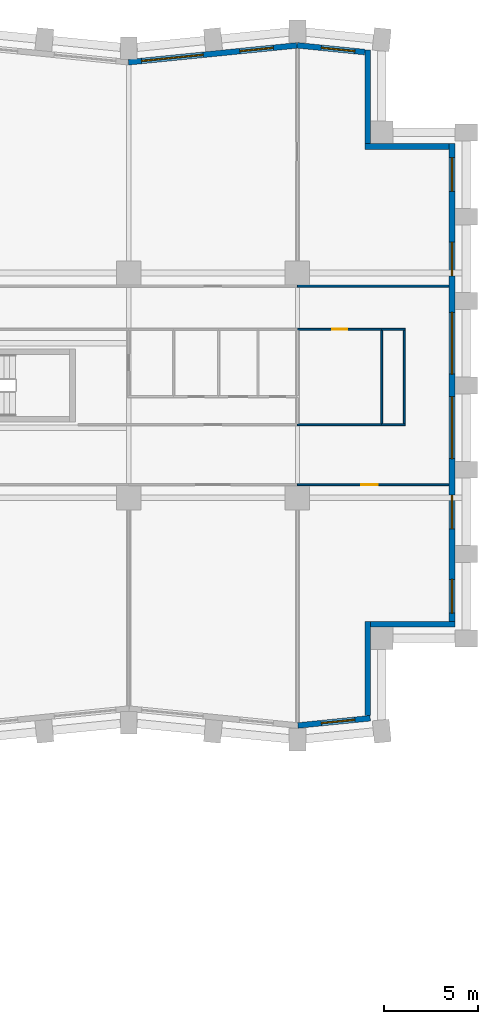
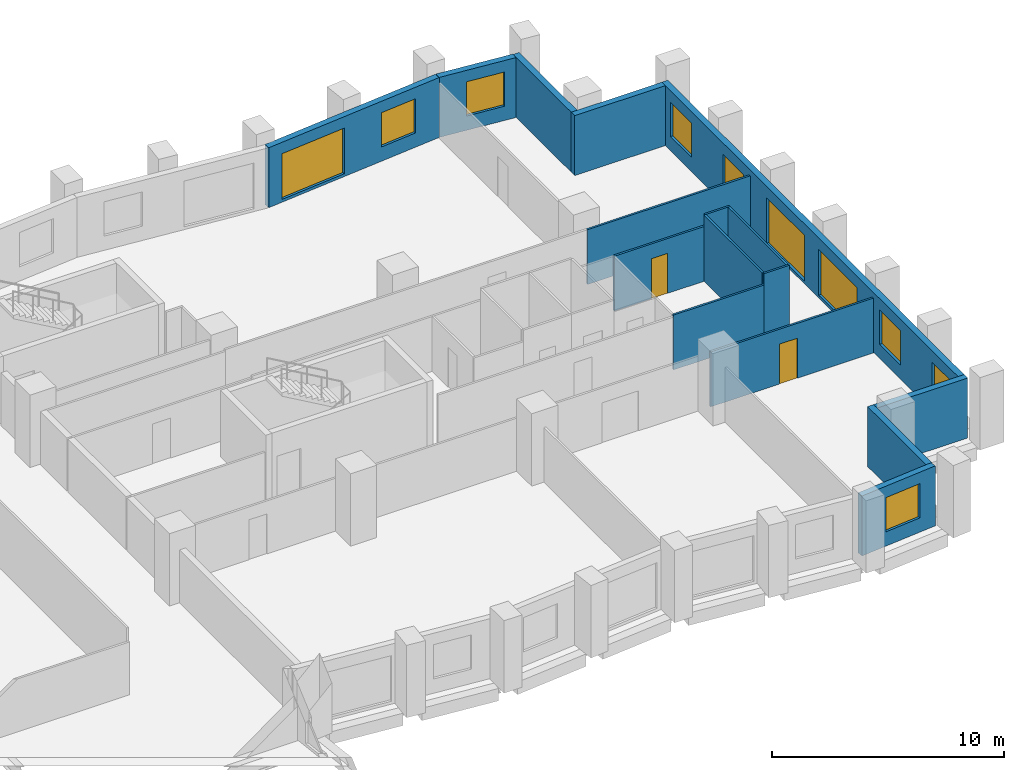
# One storey, part 8 of 11: 16 walls, 10 windows, 2 doors, 12 openings.
"""IFC4 building model written with IfcOpenShell, lengths in metres."""

from ifc_helpers import new_model, si_unit, direction, frame, frame_2d, origin, place, context, subcontext, project, spatial, rectangle, extrude, material, layer, layer_set, type_object, element, fill, save


model = new_model("IFC4")

# Units and contexts
model_context = context("Model", 3, precision=1e-05, world=origin(), true_north=direction((0.0, 1.0)))
body_context = subcontext(model_context, "Body", "Model", "MODEL_VIEW")
ifc_project = project(units=[si_unit("LENGTHUNIT", "METRE"), si_unit("AREAUNIT", "SQUARE_METRE"), si_unit("VOLUMEUNIT", "CUBIC_METRE"), si_unit("PLANEANGLEUNIT", "RADIAN"), si_unit("MASSUNIT", "GRAM", prefix="KILO")], contexts=[model_context])

# Site, building, storey
site_placement = place(None, origin())
site = spatial("IfcSite", under=ifc_project, at=site_placement, CompositionType="ELEMENT")
building_placement = place(site_placement, origin())
building = spatial("IfcBuilding", under=site, at=building_placement, Name="Brondeck Convention Tower", CompositionType="ELEMENT")
storey_placement = place(building_placement, frame((0.0, 0.0, 99.89990234375)))
storey = spatial("IfcBuildingStorey", under=building, at=storey_placement, Name="L23", CompositionType="ELEMENT", Elevation=99.89990234375)

# Wall, opening, window
ifc_material_1 = material(Name="Precast concrete C50/60 bronze finish", Category="concrete")
ifc_layer_1 = layer(ifc_material_1, 0.070068359375, Name="Bronze precast facing")
ifc_material_2 = material(Name="Mineral wool")
ifc_layer_2 = layer(ifc_material_2, 0.159912109375, Name="Insulation")
ifc_material_3 = material(Name="Concrete C35/45", Category="concrete")
ifc_layer_3 = layer(ifc_material_3, 0.070068359375, Name="Backing")
ifc_layer_set_1 = layer_set([ifc_layer_1, ifc_layer_2, ifc_layer_3], Name="External infill wall, precast concrete C50/60 bronze facing")
wall_type_1 = type_object("IfcWallType", Name="External infill wall, precast concrete C50/60 bronze facing", PredefinedType="SOLIDWALL", material=ifc_layer_set_1)
wall_1_placement = place(storey_placement, frame((66.885009765625, 27.2421875, 0.0), z_axis=(0.0, 0.0, 1.0), x_axis=(-0.995037814081, -0.099497480111, 0.0)))
wall_1 = element("IfcWall", 1, at=wall_1_placement, inside=storey, type_object=wall_type_1, Name="ENV-EW-L23-P0-A-S-06", PredefinedType="SOLIDWALL", context=body_context, shape_type="SweptSolid", body=[
    extrude(rectangle(XDim=3.87451171875, YDim=0.300048828125, at=frame_2d((1.937255859375, 0.0))), origin(), (0.0, 0.0, 1.0), 3.150146484375),
])
opening_1_placement = place(wall_1_placement, frame((0.818359375, 0.0, 0.75)))
opening_1 = element("IfcOpeningElement", 2, at=opening_1_placement, cuts=wall_1, Name="Opening W10", PredefinedType="OPENING", context=body_context, shape_type="SweptSolid", body=[
    extrude(rectangle(XDim=1.800048828125, YDim=1.800048828125, at=frame_2d((0.89990234375, 0.89990234375))), frame((0.0, 0.159912109375, 0.0), z_axis=(0.0, -1.0, 0.0), x_axis=(1.0, 0.0, 0.0)), (0.0, 0.0, 1.0), 0.320068359375),
])
ifc_material_4 = material(Name="Bronze tinted double glazing", Category="glass")
window_type_1 = type_object("IfcWindowType", Name="Punched window, bronze tinted", PartitioningType="SINGLE_PANEL", PredefinedType="WINDOW", material=ifc_material_4)
window_1_placement = place(opening_1_placement, origin())
window_1 = element("IfcWindow", 3, at=window_1_placement, inside=storey, type_object=window_type_1, Name="ENV-WN-L23-P0-A-S-06", OverallHeight=1.800048828125, OverallWidth=1.800048828125, PartitioningType="SINGLE_PANEL", PredefinedType="WINDOW", context=body_context, shape_type="SweptSolid", body=[
    extrude(rectangle(XDim=1.800048828125, YDim=1.800048828125, at=frame_2d((0.89990234375, 0.89990234375))), frame((0.0, 0.030029296875, 0.0), z_axis=(0.0, -1.0, 0.0), x_axis=(1.0, 0.0, 0.0)), (0.0, 0.0, 1.0), 0.06005859375),
])
fill(opening_1, window_1)

# Walls
wall_2_placement = place(storey_placement, frame((66.75, 32.39990234375, 0.0), z_axis=(0.0, 0.0, 1.0), x_axis=(0.0, -1.0, 0.0)))
element("IfcWall", 4, at=wall_2_placement, inside=storey, type_object=wall_type_1, Name="ENV-EW-L23-P0-NC-SEA72-01", PredefinedType="SOLIDWALL", context=body_context, shape_type="SweptSolid", body=[
    extrude(rectangle(XDim=5.019287109375, YDim=0.300048828125, at=frame_2d((2.509765625, 0.0))), origin(), (0.0, 0.0, 1.0), 3.150146484375),
])
wall_3_placement = place(storey_placement, frame((71.39990234375, 32.25, 0.0), z_axis=(0.0, 0.0, 1.0), x_axis=(-1.0, 0.0, 0.0)))
element("IfcWall", 5, at=wall_3_placement, inside=storey, type_object=wall_type_1, Name="ENV-EW-L23-P0-NC-SEA72-02", PredefinedType="SOLIDWALL", context=body_context, shape_type="SweptSolid", body=[
    extrude(rectangle(XDim=4.5, YDim=0.300048828125, at=frame_2d((2.25, 0.0))), origin(), (0.0, 0.0, 1.0), 3.150146484375),
])

# Wall, openings, windows
wall_4_placement = place(storey_placement, frame((71.25, 57.89990234375, 0.0), z_axis=(0.0, 0.0, 1.0), x_axis=(0.0, -1.0, 0.0)))
wall_4 = element("IfcWall", 6, at=wall_4_placement, inside=storey, type_object=wall_type_1, Name="ENV-EW-L23-P0-A-E72-01", PredefinedType="SOLIDWALL", context=body_context, shape_type="SweptSolid", body=[
    extrude(rectangle(XDim=25.501953125, YDim=0.300048828125, at=frame_2d((12.7509765625, 0.0))), origin(), (0.0, 0.0, 1.0), 3.150146484375),
])
opening_2_placement = place(wall_4_placement, frame((0.75, 0.0, 0.75)))
opening_2 = element("IfcOpeningElement", 7, at=opening_2_placement, cuts=wall_4, Name="Opening W10", PredefinedType="OPENING", context=body_context, shape_type="SweptSolid", body=[
    extrude(rectangle(XDim=1.800048828125, YDim=1.800048828125, at=frame_2d((0.89990234375, 0.89990234375))), frame((0.0, 0.159912109375, 0.0), z_axis=(0.0, -1.0, 0.0), x_axis=(1.0, 0.0, 0.0)), (0.0, 0.0, 1.0), 0.320068359375),
])
opening_3_placement = place(wall_4_placement, frame((5.25, 0.0, 0.75)))
opening_3 = element("IfcOpeningElement", 8, at=opening_3_placement, cuts=wall_4, Name="Opening W10", PredefinedType="OPENING", context=body_context, shape_type="SweptSolid", body=[
    extrude(rectangle(XDim=1.800048828125, YDim=1.800048828125, at=frame_2d((0.89990234375, 0.89990234375))), frame((0.0, 0.159912109375, 0.0), z_axis=(0.0, -1.0, 0.0), x_axis=(1.0, 0.0, 0.0)), (0.0, 0.0, 1.0), 0.320068359375),
])
opening_4_placement = place(wall_4_placement, frame((9.0, 0.0, 0.14990234375)))
opening_4 = element("IfcOpeningElement", 9, at=opening_4_placement, cuts=wall_4, Name="Opening W9", PredefinedType="OPENING", context=body_context, shape_type="SweptSolid", body=[
    extrude(rectangle(XDim=3.300048828125, YDim=2.39990234375, at=frame_2d((1.64990234375, 1.199951171875))), frame((0.0, 0.159912109375, 0.0), z_axis=(0.0, -1.0, 0.0), x_axis=(1.0, 0.0, 0.0)), (0.0, 0.0, 1.0), 0.320068359375),
])
opening_5_placement = place(wall_4_placement, frame((13.5, 0.0, 0.14990234375)))
opening_5 = element("IfcOpeningElement", 10, at=opening_5_placement, cuts=wall_4, Name="Opening W9", PredefinedType="OPENING", context=body_context, shape_type="SweptSolid", body=[
    extrude(rectangle(XDim=3.300048828125, YDim=2.39990234375, at=frame_2d((1.64990234375, 1.199951171875))), frame((0.0, 0.159912109375, 0.0), z_axis=(0.0, -1.0, 0.0), x_axis=(1.0, 0.0, 0.0)), (0.0, 0.0, 1.0), 0.320068359375),
])
opening_6_placement = place(wall_4_placement, frame((18.75, 0.0, 0.75)))
opening_6 = element("IfcOpeningElement", 11, at=opening_6_placement, cuts=wall_4, Name="Opening W10", PredefinedType="OPENING", context=body_context, shape_type="SweptSolid", body=[
    extrude(rectangle(XDim=1.800048828125, YDim=1.800048828125, at=frame_2d((0.89990234375, 0.89990234375))), frame((0.0, 0.159912109375, 0.0), z_axis=(0.0, -1.0, 0.0), x_axis=(1.0, 0.0, 0.0)), (0.0, 0.0, 1.0), 0.320068359375),
])
opening_7_placement = place(wall_4_placement, frame((23.25, 0.0, 0.75)))
opening_7 = element("IfcOpeningElement", 12, at=opening_7_placement, cuts=wall_4, Name="Opening W10", PredefinedType="OPENING", context=body_context, shape_type="SweptSolid", body=[
    extrude(rectangle(XDim=1.800048828125, YDim=1.800048828125, at=frame_2d((0.89990234375, 0.89990234375))), frame((0.0, 0.159912109375, 0.0), z_axis=(0.0, -1.0, 0.0), x_axis=(1.0, 0.0, 0.0)), (0.0, 0.0, 1.0), 0.320068359375),
])
window_type_2 = type_object("IfcWindowType", Name="Glazed flute window, bronze tinted", PartitioningType="SINGLE_PANEL", PredefinedType="WINDOW", material=ifc_material_4)
window_2_placement = place(opening_4_placement, origin())
window_2 = element("IfcWindow", 13, at=window_2_placement, inside=storey, type_object=window_type_2, Name="ENV-WN-L23-P0-A-E72-04", OverallHeight=2.39990234375, OverallWidth=3.300048828125, PartitioningType="SINGLE_PANEL", PredefinedType="WINDOW", context=body_context, shape_type="SweptSolid", body=[
    extrude(rectangle(XDim=3.300048828125, YDim=2.39990234375, at=frame_2d((1.64990234375, 1.199951171875))), frame((0.0, 0.030029296875, 0.0), z_axis=(0.0, -1.0, 0.0), x_axis=(1.0, 0.0, 0.0)), (0.0, 0.0, 1.0), 0.06005859375),
])
fill(opening_4, window_2)
window_3_placement = place(opening_5_placement, origin())
window_3 = element("IfcWindow", 14, at=window_3_placement, inside=storey, type_object=window_type_2, Name="ENV-WN-L23-P0-A-E72-03", OverallHeight=2.39990234375, OverallWidth=3.300048828125, PartitioningType="SINGLE_PANEL", PredefinedType="WINDOW", context=body_context, shape_type="SweptSolid", body=[
    extrude(rectangle(XDim=3.300048828125, YDim=2.39990234375, at=frame_2d((1.64990234375, 1.199951171875))), frame((0.0, 0.030029296875, 0.0), z_axis=(0.0, -1.0, 0.0), x_axis=(1.0, 0.0, 0.0)), (0.0, 0.0, 1.0), 0.06005859375),
])
fill(opening_5, window_3)
window_4_placement = place(opening_2_placement, origin())
window_4 = element("IfcWindow", 15, at=window_4_placement, inside=storey, type_object=window_type_1, Name="ENV-WN-L23-P0-A-E72-06", OverallHeight=1.800048828125, OverallWidth=1.800048828125, PartitioningType="SINGLE_PANEL", PredefinedType="WINDOW", context=body_context, shape_type="SweptSolid", body=[
    extrude(rectangle(XDim=1.800048828125, YDim=1.800048828125, at=frame_2d((0.89990234375, 0.89990234375))), frame((0.0, 0.030029296875, 0.0), z_axis=(0.0, -1.0, 0.0), x_axis=(1.0, 0.0, 0.0)), (0.0, 0.0, 1.0), 0.06005859375),
])
fill(opening_2, window_4)
window_5_placement = place(opening_3_placement, origin())
window_5 = element("IfcWindow", 16, at=window_5_placement, inside=storey, type_object=window_type_1, Name="ENV-WN-L23-P0-A-E72-05", OverallHeight=1.800048828125, OverallWidth=1.800048828125, PartitioningType="SINGLE_PANEL", PredefinedType="WINDOW", context=body_context, shape_type="SweptSolid", body=[
    extrude(rectangle(XDim=1.800048828125, YDim=1.800048828125, at=frame_2d((0.89990234375, 0.89990234375))), frame((0.0, 0.030029296875, 0.0), z_axis=(0.0, -1.0, 0.0), x_axis=(1.0, 0.0, 0.0)), (0.0, 0.0, 1.0), 0.06005859375),
])
fill(opening_3, window_5)
window_6_placement = place(opening_6_placement, origin())
window_6 = element("IfcWindow", 17, at=window_6_placement, inside=storey, type_object=window_type_1, Name="ENV-WN-L23-P0-A-E72-02", OverallHeight=1.800048828125, OverallWidth=1.800048828125, PartitioningType="SINGLE_PANEL", PredefinedType="WINDOW", context=body_context, shape_type="SweptSolid", body=[
    extrude(rectangle(XDim=1.800048828125, YDim=1.800048828125, at=frame_2d((0.89990234375, 0.89990234375))), frame((0.0, 0.030029296875, 0.0), z_axis=(0.0, -1.0, 0.0), x_axis=(1.0, 0.0, 0.0)), (0.0, 0.0, 1.0), 0.06005859375),
])
fill(opening_6, window_6)
window_7_placement = place(opening_7_placement, origin())
window_7 = element("IfcWindow", 18, at=window_7_placement, inside=storey, type_object=window_type_1, Name="ENV-WN-L23-P0-A-E72-01", OverallHeight=1.800048828125, OverallWidth=1.800048828125, PartitioningType="SINGLE_PANEL", PredefinedType="WINDOW", context=body_context, shape_type="SweptSolid", body=[
    extrude(rectangle(XDim=1.800048828125, YDim=1.800048828125, at=frame_2d((0.89990234375, 0.89990234375))), frame((0.0, 0.030029296875, 0.0), z_axis=(0.0, -1.0, 0.0), x_axis=(1.0, 0.0, 0.0)), (0.0, 0.0, 1.0), 0.06005859375),
])
fill(opening_7, window_7)

# Walls
wall_5_placement = place(storey_placement, frame((66.60009765625, 57.75, 0.0), z_axis=(0.0, 0.0, 1.0), x_axis=(1.0, 0.0, 0.0)))
element("IfcWall", 19, at=wall_5_placement, inside=storey, type_object=wall_type_1, Name="ENV-EW-L23-P0-NC-NEA72-01", PredefinedType="SOLIDWALL", context=body_context, shape_type="SweptSolid", body=[
    extrude(rectangle(XDim=4.5, YDim=0.300048828125, at=frame_2d((2.25, 0.0))), origin(), (0.0, 0.0, 1.0), 3.150146484375),
])
wall_6_placement = place(storey_placement, frame((66.75, 62.906982421875, 0.0), z_axis=(0.0, 0.0, 1.0), x_axis=(0.0, -1.0, 0.0)))
element("IfcWall", 20, at=wall_6_placement, inside=storey, type_object=wall_type_1, Name="ENV-EW-L23-P0-NC-NEA72-02", PredefinedType="SOLIDWALL", context=body_context, shape_type="SweptSolid", body=[
    extrude(rectangle(XDim=5.009033203125, YDim=0.300048828125, at=frame_2d((2.50439453125, 0.0))), origin(), (0.0, 0.0, 1.0), 3.150146484375),
])

# Wall, opening, window
wall_7_placement = place(storey_placement, frame((62.985107421875, 63.147705078125, 0.0), z_axis=(0.0, 0.0, 1.0), x_axis=(0.995038521274, -0.099490407478, 0.0)))
wall_7 = element("IfcWall", 21, at=wall_7_placement, inside=storey, type_object=wall_type_1, Name="ENV-EW-L23-P0-A-N-14", PredefinedType="SOLIDWALL", context=body_context, shape_type="SweptSolid", body=[
    extrude(rectangle(XDim=3.6318359375, YDim=0.300048828125, at=frame_2d((1.81591796875, 0.0))), origin(), (0.0, 0.0, 1.0), 3.150146484375),
])
opening_8_placement = place(wall_7_placement, frame((1.30126953125, 0.0, 0.75)))
opening_8 = element("IfcOpeningElement", 22, at=opening_8_placement, cuts=wall_7, Name="Opening W10", PredefinedType="OPENING", context=body_context, shape_type="SweptSolid", body=[
    extrude(rectangle(XDim=1.800048828125, YDim=1.800048828125, at=frame_2d((0.89990234375, 0.89990234375))), frame((0.0, 0.159912109375, 0.0), z_axis=(0.0, -1.0, 0.0), x_axis=(1.0, 0.0, 0.0)), (0.0, 0.0, 1.0), 0.320068359375),
])
window_8_placement = place(opening_8_placement, origin())
window_8 = element("IfcWindow", 23, at=window_8_placement, inside=storey, type_object=window_type_1, Name="ENV-WN-L23-P0-A-N-14", OverallHeight=1.800048828125, OverallWidth=1.800048828125, PartitioningType="SINGLE_PANEL", PredefinedType="WINDOW", context=body_context, shape_type="SweptSolid", body=[
    extrude(rectangle(XDim=1.800048828125, YDim=1.800048828125, at=frame_2d((0.89990234375, 0.89990234375))), frame((0.0, 0.030029296875, 0.0), z_axis=(0.0, -1.0, 0.0), x_axis=(1.0, 0.0, 0.0)), (0.0, 0.0, 1.0), 0.06005859375),
])
fill(opening_8, window_8)

# Wall, openings, windows
wall_8_placement = place(storey_placement, frame((53.985107421875, 62.244873046875, 0.0), z_axis=(0.0, 0.0, 1.0), x_axis=(0.995037993253, 0.099495688264, 0.0)))
wall_8 = element("IfcWall", 24, at=wall_8_placement, inside=storey, type_object=wall_type_1, Name="ENV-EW-L23-P0-A-N-13", PredefinedType="SOLIDWALL", context=body_context, shape_type="SweptSolid", body=[
    extrude(rectangle(XDim=9.030029296875, YDim=0.300048828125, at=frame_2d((4.51513671875, 0.0))), origin(), (0.0, 0.0, 1.0), 3.150146484375),
])
opening_9_placement = place(wall_8_placement, frame((0.701171875, 0.0, 0.14990234375)))
opening_9 = element("IfcOpeningElement", 25, at=opening_9_placement, cuts=wall_8, Name="Opening W9", PredefinedType="OPENING", context=body_context, shape_type="SweptSolid", body=[
    extrude(rectangle(XDim=3.300048828125, YDim=2.39990234375, at=frame_2d((1.64990234375, 1.199951171875))), frame((0.0, 0.159912109375, 0.0), z_axis=(0.0, -1.0, 0.0), x_axis=(1.0, 0.0, 0.0)), (0.0, 0.0, 1.0), 0.320068359375),
])
opening_10_placement = place(wall_8_placement, frame((5.9736328125, 0.0, 0.75)))
opening_10 = element("IfcOpeningElement", 26, at=opening_10_placement, cuts=wall_8, Name="Opening W10", PredefinedType="OPENING", context=body_context, shape_type="SweptSolid", body=[
    extrude(rectangle(XDim=1.800048828125, YDim=1.800048828125, at=frame_2d((0.89990234375, 0.89990234375))), frame((0.0, 0.159912109375, 0.0), z_axis=(0.0, -1.0, 0.0), x_axis=(1.0, 0.0, 0.0)), (0.0, 0.0, 1.0), 0.320068359375),
])
window_9_placement = place(opening_9_placement, origin())
window_9 = element("IfcWindow", 27, at=window_9_placement, inside=storey, type_object=window_type_2, Name="ENV-WN-L23-P0-A-N-12", OverallHeight=2.39990234375, OverallWidth=3.300048828125, PartitioningType="SINGLE_PANEL", PredefinedType="WINDOW", context=body_context, shape_type="SweptSolid", body=[
    extrude(rectangle(XDim=3.300048828125, YDim=2.39990234375, at=frame_2d((1.64990234375, 1.199951171875))), frame((0.0, 0.030029296875, 0.0), z_axis=(0.0, -1.0, 0.0), x_axis=(1.0, 0.0, 0.0)), (0.0, 0.0, 1.0), 0.06005859375),
])
fill(opening_9, window_9)
window_10_placement = place(opening_10_placement, origin())
window_10 = element("IfcWindow", 28, at=window_10_placement, inside=storey, type_object=window_type_1, Name="ENV-WN-L23-P0-A-N-13", OverallHeight=1.800048828125, OverallWidth=1.800048828125, PartitioningType="SINGLE_PANEL", PredefinedType="WINDOW", context=body_context, shape_type="SweptSolid", body=[
    extrude(rectangle(XDim=1.800048828125, YDim=1.800048828125, at=frame_2d((0.89990234375, 0.89990234375))), frame((0.0, 0.030029296875, 0.0), z_axis=(0.0, -1.0, 0.0), x_axis=(1.0, 0.0, 0.0)), (0.0, 0.0, 1.0), 0.06005859375),
])
fill(opening_10, window_10)

# Wall, opening, door
ifc_material_5 = material(Name="Gypsum board partition on steel studs", Category="steel")
ifc_layer_4 = layer(ifc_material_5, 0.10009765625)
ifc_layer_set_2 = layer_set([ifc_layer_4], Name="Room partition 100")
wall_type_2 = type_object("IfcWallType", Name="Room partition 100", PredefinedType="PARTITIONING", material=ifc_layer_set_2)
wall_9_placement = place(storey_placement, frame((71.080078125, 39.699951171875, 0.0), z_axis=(0.0, 0.0, 1.0), x_axis=(-1.0, 0.0, 0.0)))
wall_9 = element("IfcWall", 29, at=wall_9_placement, inside=storey, type_object=wall_type_2, Name="FLR-L23-W036", PredefinedType="PARTITIONING", context=body_context, shape_type="SweptSolid", body=[
    extrude(rectangle(XDim=8.080078125, YDim=0.10009765625, at=frame_2d((4.0400390625, 0.0))), origin(), (0.0, 0.0, 1.0), 2.880126953125),
])
opening_11_placement = place(wall_9_placement, frame((3.781005859375, 0.0, 0.0)))
opening_11 = element("IfcOpeningElement", 30, at=opening_11_placement, cuts=wall_9, Name="Opening OF-B-011", PredefinedType="OPENING", context=body_context, shape_type="SweptSolid", body=[
    extrude(rectangle(XDim=0.89990234375, YDim=2.10009765625, at=frame_2d((0.449951171875, 1.050048828125))), frame((0.0, 0.06005859375, 0.0), z_axis=(0.0, -1.0, 0.0), x_axis=(1.0, 0.0, 0.0)), (0.0, 0.0, 1.0), 0.1201171875),
])
ifc_material_6 = material(Name="Solid timber door leaf", Category="wood")
door_type_1 = type_object("IfcDoorType", Name="Single door 900", OperationType="NOTDEFINED", PredefinedType="DOOR", material=ifc_material_6)
door_1_placement = place(opening_11_placement, origin())
door_1 = element("IfcDoor", 31, at=door_1_placement, inside=storey, type_object=door_type_1, Name="Door OF-B-011", OperationType="SINGLE_SWING_RIGHT", OverallHeight=2.10009765625, OverallWidth=0.89990234375, PredefinedType="DOOR", context=body_context, shape_type="SweptSolid", body=[
    extrude(rectangle(XDim=0.89990234375, YDim=2.10009765625, at=frame_2d((0.449951171875, 1.050048828125))), frame((0.0, 0.02490234375, 0.0), z_axis=(0.0, -1.0, 0.0), x_axis=(1.0, 0.0, 0.0)), (0.0, 0.0, 1.0), 0.050048828125),
])
fill(opening_11, door_1)

# Walls
wall_10_placement = place(storey_placement, frame((63.0, 42.89990234375, 0.0), z_axis=(0.0, 0.0, 1.0), x_axis=(1.0, 0.0, 0.0)))
element("IfcWall", 32, at=wall_10_placement, inside=storey, type_object=wall_type_2, Name="FLR-L23-W040", PredefinedType="PARTITIONING", context=body_context, shape_type="SweptSolid", body=[
    extrude(rectangle(XDim=4.5, YDim=0.10009765625, at=frame_2d((2.25, 0.0))), origin(), (0.0, 0.0, 1.0), 2.880126953125),
])
wall_11_placement = place(storey_placement, frame((67.5, 42.89990234375, 0.0), z_axis=(0.0, 0.0, 1.0), x_axis=(1.0, 0.0, 0.0)))
element("IfcWall", 33, at=wall_11_placement, inside=storey, type_object=wall_type_2, Name="FLR-L23-W041", PredefinedType="PARTITIONING", context=body_context, shape_type="SweptSolid", body=[
    extrude(rectangle(XDim=1.25, YDim=0.10009765625, at=frame_2d((0.625, 0.0))), origin(), (0.0, 0.0, 1.0), 3.47998046875),
])
for number, where, z_axis, x_axis, name in (
    (34, (68.699951171875, 42.949951171875, 0.0), (0.0, 0.0, 1.0), (0.0, 1.0, 0.0), "FLR-L23-W043"),
    (35, (67.5, 47.949951171875, 0.0), (0.0, 0.0, 1.0), (0.0, -1.0, 0.0), "FLR-L23-W055"),
):
    element("IfcWall", number, at=place(storey_placement, frame(where, z_axis=z_axis, x_axis=x_axis)), inside=storey, type_object=wall_type_2, Name=name, PredefinedType="PARTITIONING", context=body_context, shape_type="SweptSolid", body=[
        extrude(rectangle(XDim=5.0, YDim=0.10009765625, at=frame_2d((2.5, 0.0))), origin(), (0.0, 0.0, 1.0), 3.47998046875),
    ])

# Wall, opening, door
wall_12_placement = place(storey_placement, frame((67.5, 48.0, 0.0), z_axis=(0.0, 0.0, 1.0), x_axis=(-1.0, 0.0, 0.0)))
wall_12 = element("IfcWall", 36, at=wall_12_placement, inside=storey, type_object=wall_type_2, Name="FLR-L23-W062", PredefinedType="PARTITIONING", context=body_context, shape_type="SweptSolid", body=[
    extrude(rectangle(XDim=4.5, YDim=0.10009765625, at=frame_2d((2.25, 0.0))), origin(), (0.0, 0.0, 1.0), 2.880126953125),
])
opening_12_placement = place(wall_12_placement, frame((1.85009765625, 0.0, 0.0)))
opening_12 = element("IfcOpeningElement", 37, at=opening_12_placement, cuts=wall_12, Name="Opening OF-B-008", PredefinedType="OPENING", context=body_context, shape_type="SweptSolid", body=[
    extrude(rectangle(XDim=0.800048828125, YDim=2.10009765625, at=frame_2d((0.39990234375, 1.050048828125))), frame((0.0, 0.06005859375, 0.0), z_axis=(0.0, -1.0, 0.0), x_axis=(1.0, 0.0, 0.0)), (0.0, 0.0, 1.0), 0.1201171875),
])
ifc_material_7 = material(Name="Steel service door leaf", Category="steel")
door_type_2 = type_object("IfcDoorType", Name="Service door 800", OperationType="NOTDEFINED", PredefinedType="DOOR", material=ifc_material_7)
door_2_placement = place(opening_12_placement, origin())
door_2 = element("IfcDoor", 38, at=door_2_placement, inside=storey, type_object=door_type_2, Name="Door OF-B-008", OperationType="SINGLE_SWING_LEFT", OverallHeight=2.10009765625, OverallWidth=0.800048828125, PredefinedType="DOOR", context=body_context, shape_type="SweptSolid", body=[
    extrude(rectangle(XDim=0.800048828125, YDim=2.10009765625, at=frame_2d((0.39990234375, 1.050048828125))), frame((0.0, 0.02490234375, 0.0), z_axis=(0.0, -1.0, 0.0), x_axis=(1.0, 0.0, 0.0)), (0.0, 0.0, 1.0), 0.050048828125),
])
fill(opening_12, door_2)

# Walls
wall_13_placement = place(storey_placement, frame((68.75, 48.0, 0.0), z_axis=(0.0, 0.0, 1.0), x_axis=(-1.0, 0.0, 0.0)))
element("IfcWall", 39, at=wall_13_placement, inside=storey, type_object=wall_type_2, Name="FLR-L23-W063", PredefinedType="PARTITIONING", context=body_context, shape_type="SweptSolid", body=[
    extrude(rectangle(XDim=1.25, YDim=0.10009765625, at=frame_2d((0.625, 0.0))), origin(), (0.0, 0.0, 1.0), 3.47998046875),
])
wall_14_placement = place(storey_placement, frame((63.0, 50.300048828125, 0.0), z_axis=(0.0, 0.0, 1.0), x_axis=(1.0, 0.0, 0.0)))
element("IfcWall", 40, at=wall_14_placement, inside=storey, type_object=wall_type_2, Name="FLR-L23-W067", PredefinedType="PARTITIONING", context=body_context, shape_type="SweptSolid", body=[
    extrude(rectangle(XDim=8.080078125, YDim=0.10009765625, at=frame_2d((4.0400390625, 0.0))), origin(), (0.0, 0.0, 1.0), 2.880126953125),
])

save(model, "model.ifc")
